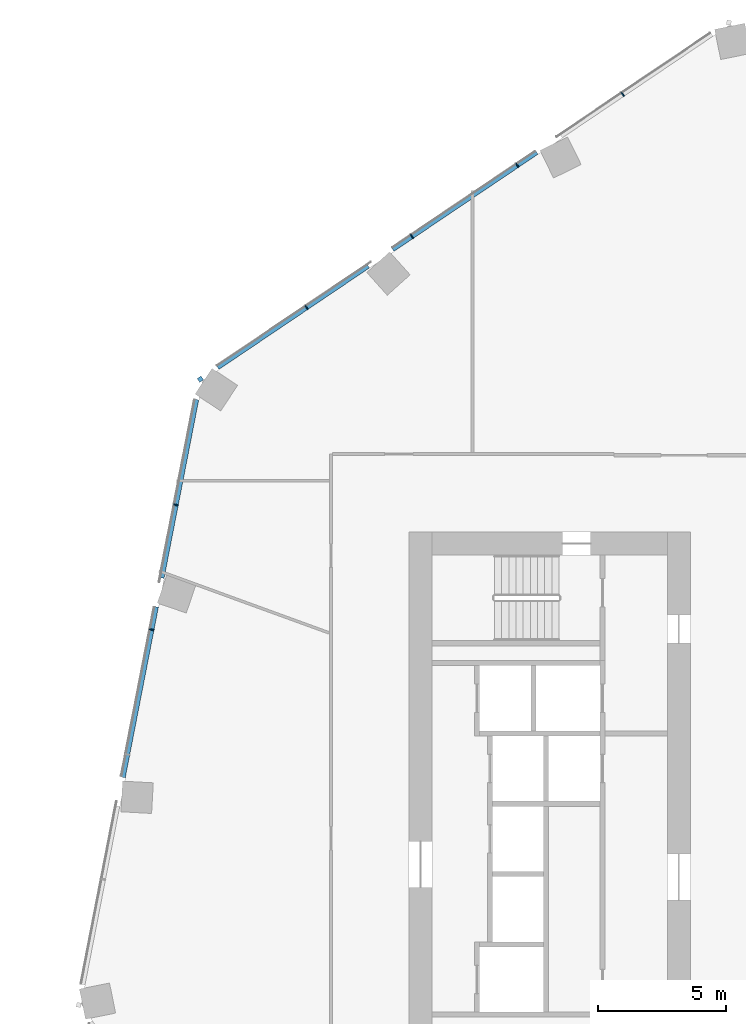
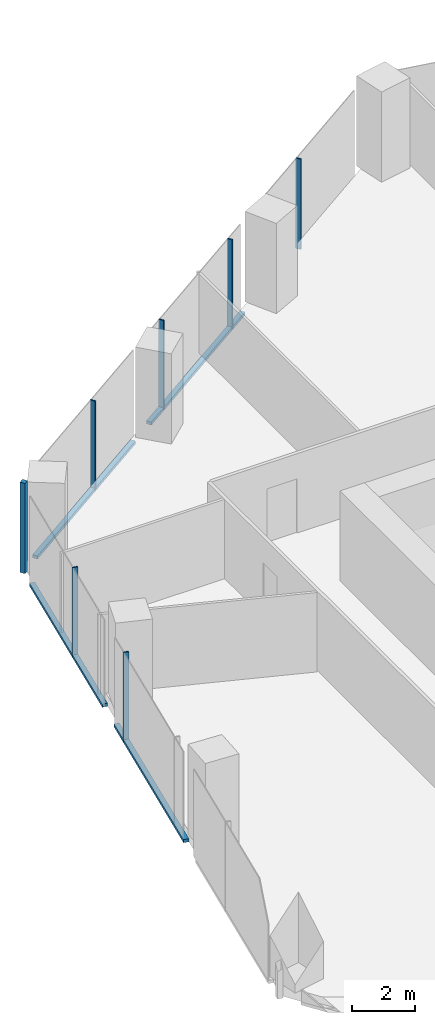
# One storey, part 10 of 32: 11 members, 2 elements without a shape of their own.
"""IFC4 building model written with IfcOpenShell, lengths in metres."""

from ifc_helpers import new_model, si_unit, direction, frame, origin, origin_2d, place, context, subcontext, project, spatial, rectangle, extrude, material, material_profile, profile_set, type_object, element, aggregate, save


model = new_model("IFC4")

# Units and contexts
model_context = context("Model", 3, precision=1e-05, world=origin(), true_north=direction((0.0, 1.0)))
body_context = subcontext(model_context, "Body", "Model", "MODEL_VIEW")
ifc_project = project(units=[si_unit("LENGTHUNIT", "METRE"), si_unit("AREAUNIT", "SQUARE_METRE"), si_unit("VOLUMEUNIT", "CUBIC_METRE"), si_unit("PLANEANGLEUNIT", "RADIAN"), si_unit("MASSUNIT", "GRAM", prefix="KILO")], contexts=[model_context])

# Site, building, storey
site_placement = place(None, origin())
site = spatial("IfcSite", under=ifc_project, at=site_placement, CompositionType="ELEMENT")
building_placement = place(site_placement, origin())
building = spatial("IfcBuilding", under=site, at=building_placement, Name="Orlundy Tower", CompositionType="ELEMENT")
storey_placement = place(building_placement, frame((0.0, 0.0, 152.60009765625)))
storey = spatial("IfcBuildingStorey", under=building, at=storey_placement, Name="L39", CompositionType="ELEMENT", Elevation=152.60009765625)

# Curtain wall, member
ifc_material_1 = material(Name="Aluminium bronze anodised", Category="aluminium")
curtain_wall_type = type_object("IfcCurtainWallType", Name="CW1 wall", PredefinedType="NOTDEFINED", material=ifc_material_1)
curtain_wall_1_placement = place(storey_placement, origin())
curtain_wall_1 = element("IfcCurtainWall", 1, at=curtain_wall_1_placement, inside=storey, type_object=curtain_wall_type, Name="CW1 run 015", PredefinedType="NOTDEFINED")
ifc_material_2 = material(Name="Aluminium bronze anodised", Category="aluminium")
ifc_material_profile_1 = material_profile(ifc_material_2, rectangle(XDim=0.179931640625, YDim=0.179931640625, at=origin_2d()), Name="CW1 corner post 180x180")
ifc_profile_set_1 = profile_set([ifc_material_profile_1], Name="Aluminium bronze anodised")
member_type_1 = type_object("IfcMemberType", Name="CW1 corner post 180x180", PredefinedType="MULLION", material=ifc_profile_set_1)
member_1_placement = place(storey_placement, frame((-27.1591796875, 17.975830078125, -0.400146484375), z_axis=(0.0, 0.0, 1.0), x_axis=(-0.559204698608, 0.829029616512, 0.0)))
member_1 = element("IfcMember", 2, at=member_1_placement, type_object=member_type_1, Name="CW1 mullion 39", PredefinedType="MULLION", context=body_context, shape_type="SweptSolid", body=[
    extrude(rectangle(XDim=0.179931640625, YDim=0.179931640625, at=origin_2d()), origin(), (0.0, 0.0, 1.0), 3.5),
])

# Curtain wall, members
curtain_wall_2_placement = place(storey_placement, origin())
curtain_wall_2 = element("IfcCurtainWall", 3, at=curtain_wall_2_placement, inside=storey, type_object=curtain_wall_type, Name="CW1 run 014", PredefinedType="NOTDEFINED")
ifc_material_3 = material(Name="Aluminium bronze anodised", Category="aluminium")
ifc_material_profile_2 = material_profile(ifc_material_3, rectangle(XDim=0.179931640625, YDim=0.050048828125, at=origin_2d()), Name="CW1 mullion 50x180")
ifc_profile_set_2 = profile_set([ifc_material_profile_2], Name="Aluminium bronze anodised")
member_type_2 = type_object("IfcMemberType", Name="CW1 mullion 50x180", PredefinedType="MULLION", material=ifc_profile_set_2)
member_2_placement = place(storey_placement, frame((-29.063232421875, 8.1806640625, -0.400146484375), z_axis=(0.0, 0.0, 1.0), x_axis=(-0.981627952333, 0.19080503976, 0.0)))
member_2 = element("IfcMember", 4, at=member_2_placement, type_object=member_type_2, Name="CW1 mullion 37", PredefinedType="MULLION", context=body_context, shape_type="SweptSolid", body=[
    extrude(rectangle(XDim=0.179931640625, YDim=0.050048828125, at=origin_2d()), origin(), (0.0, 0.0, 1.0), 3.5),
])
member_3_placement = place(storey_placement, frame((-28.11474609375, 13.06005859375, -0.400146484375), z_axis=(0.0, 0.0, 1.0), x_axis=(-0.981627952333, 0.19080503976, 0.0)))
member_3 = element("IfcMember", 5, at=member_3_placement, type_object=member_type_2, Name="CW1 mullion 38", PredefinedType="MULLION", context=body_context, shape_type="SweptSolid", body=[
    extrude(rectangle(XDim=0.179931640625, YDim=0.050048828125, at=origin_2d()), origin(), (0.0, 0.0, 1.0), 3.5),
])

# Member
member_4_placement = place(storey_placement, frame((-23.007568359375, 20.776123046875, -0.400146484375), z_axis=(0.0, 0.0, 1.0), x_axis=(-0.559204698608, 0.829029616512, 0.0)))
member_4 = element("IfcMember", 6, at=member_4_placement, type_object=member_type_2, Name="CW1 mullion 40", PredefinedType="MULLION", context=body_context, shape_type="SweptSolid", body=[
    extrude(rectangle(XDim=0.179931640625, YDim=0.050048828125, at=origin_2d()), origin(), (0.0, 0.0, 1.0), 3.5),
])

member_5_placement = place(storey_placement, frame((-18.88671875, 23.555908203125, -0.400146484375), z_axis=(0.0, 0.0, 1.0), x_axis=(-0.559204698608, 0.829029616512, 0.0)))
member_5 = element("IfcMember", 7, at=member_5_placement, type_object=member_type_2, Name="CW1 mullion 41", PredefinedType="MULLION", context=body_context, shape_type="SweptSolid", body=[
    extrude(rectangle(XDim=0.179931640625, YDim=0.050048828125, at=origin_2d()), origin(), (0.0, 0.0, 1.0), 3.5),
])

member_6_placement = place(storey_placement, frame((-14.765869140625, 26.33544921875, -0.400146484375), z_axis=(0.0, 0.0, 1.0), x_axis=(-0.559204698608, 0.829029616512, 0.0)))
member_6 = element("IfcMember", 8, at=member_6_placement, type_object=member_type_2, Name="CW1 mullion 42", PredefinedType="MULLION", context=body_context, shape_type="SweptSolid", body=[
    extrude(rectangle(XDim=0.179931640625, YDim=0.050048828125, at=origin_2d()), origin(), (0.0, 0.0, 1.0), 3.5),
])

member_7_placement = place(storey_placement, frame((-10.64501953125, 29.114990234375, -0.400146484375), z_axis=(0.0, 0.0, 1.0), x_axis=(-0.559204698608, 0.829029616512, 0.0)))
member_7 = element("IfcMember", 9, at=member_7_placement, type_object=member_type_2, Name="CW1 mullion 43", PredefinedType="MULLION", context=body_context, shape_type="SweptSolid", body=[
    extrude(rectangle(XDim=0.179931640625, YDim=0.050048828125, at=origin_2d()), origin(), (0.0, 0.0, 1.0), 3.5),
])

ifc_material_4 = material(Name="Aluminium bronze anodised", Category="aluminium")
ifc_material_profile_3 = material_profile(ifc_material_4, rectangle(XDim=0.179931640625, YDim=0.1201171875, at=origin_2d()), Name="CW1 transom 180x120")
ifc_profile_set_3 = profile_set([ifc_material_profile_3], Name="Aluminium bronze anodised")
member_type_3 = type_object("IfcMemberType", Name="CW1 transom 180x120", PredefinedType="USERDEFINED", material=ifc_profile_set_3)
member_8_placement = place(storey_placement, frame((-30.185546875, 2.406494140625, -0.340087890625), z_axis=(0.190799450764, 0.981629038684, 0.0), x_axis=(-0.981629038684, 0.190799450764, 0.0)))
member_8 = element("IfcMember", 10, at=member_8_placement, type_object=member_type_3, Name="CW1 transom", ObjectType="TRANSOM", PredefinedType="USERDEFINED", context=body_context, shape_type="SweptSolid", body=[
    extrude(rectangle(XDim=0.179931640625, YDim=0.1201171875, at=origin_2d()), origin(), (0.0, 0.0, 1.0), 6.79443359375),
])

member_9_placement = place(storey_placement, frame((-28.6708984375, 10.19921875, -0.340087890625), z_axis=(0.190824629914, 0.981624144272, 0.0), x_axis=(-0.981624144272, 0.190824629914, 0.0)))
member_9 = element("IfcMember", 11, at=member_9_placement, type_object=member_type_3, Name="CW1 transom", ObjectType="TRANSOM", PredefinedType="USERDEFINED", context=body_context, shape_type="SweptSolid", body=[
    extrude(rectangle(XDim=0.179931640625, YDim=0.1201171875, at=origin_2d()), origin(), (0.0, 0.0, 1.0), 7.11083984375),
])

aggregate(curtain_wall_2, [member_2, member_3, member_8, member_9])

member_10_placement = place(storey_placement, frame((-26.485595703125, 18.43017578125, -0.340087890625), z_axis=(0.82903432821, 0.559197713381, 0.0), x_axis=(-0.559197713381, 0.82903432821, 0.0)))
member_10 = element("IfcMember", 12, at=member_10_placement, type_object=member_type_3, Name="CW1 transom", ObjectType="TRANSOM", PredefinedType="USERDEFINED", context=body_context, shape_type="SweptSolid", body=[
    extrude(rectangle(XDim=0.179931640625, YDim=0.1201171875, at=origin_2d()), origin(), (0.0, 0.0, 1.0), 7.1025390625),
])

member_11_placement = place(storey_placement, frame((-19.642822265625, 23.0458984375, -0.340087890625), z_axis=(0.829031068429, 0.559202546114, 0.0), x_axis=(-0.559202546114, 0.829031068429, 0.0)))
member_11 = element("IfcMember", 13, at=member_11_placement, type_object=member_type_3, Name="CW1 transom", ObjectType="TRANSOM", PredefinedType="USERDEFINED", context=body_context, shape_type="SweptSolid", body=[
    extrude(rectangle(XDim=0.179931640625, YDim=0.1201171875, at=origin_2d()), origin(), (0.0, 0.0, 1.0), 6.794921875),
])

aggregate(curtain_wall_1, [member_1, member_4, member_5, member_6, member_7, member_10, member_11])

save(model, "model.ifc")
